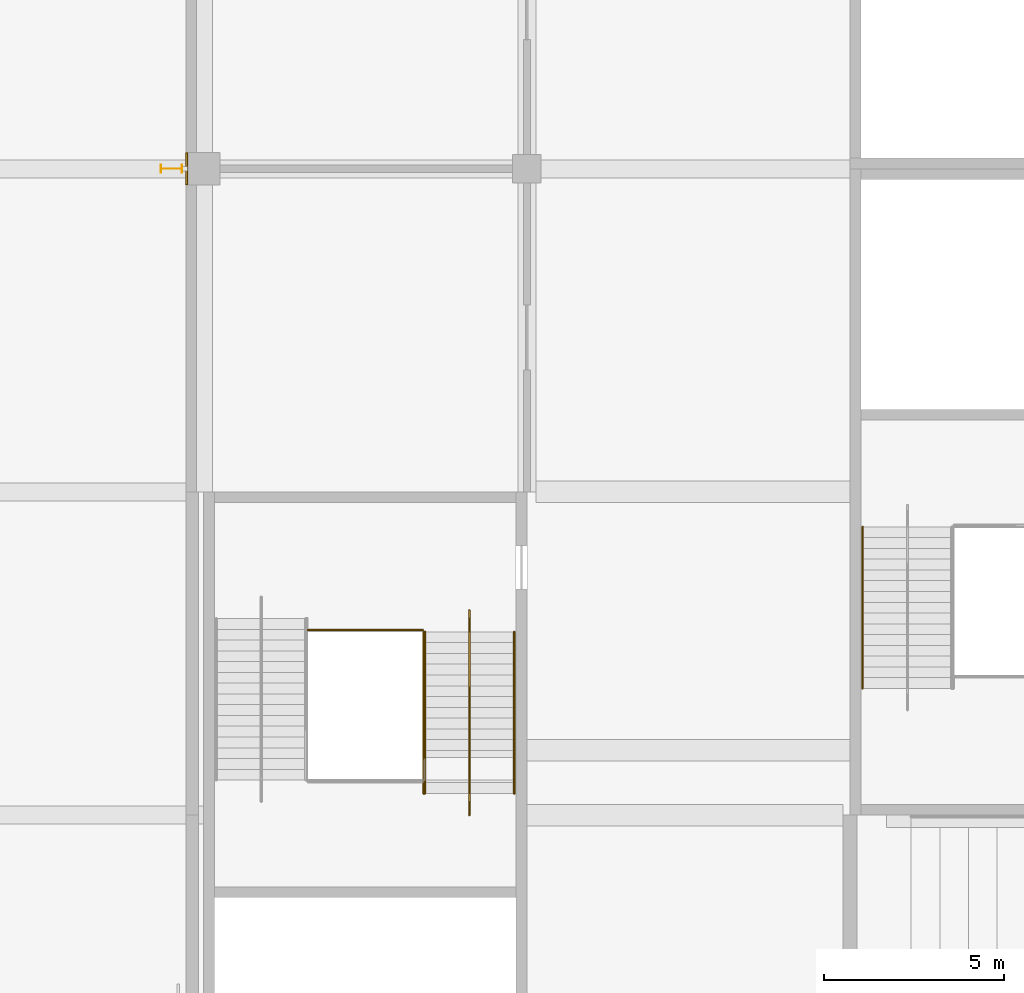
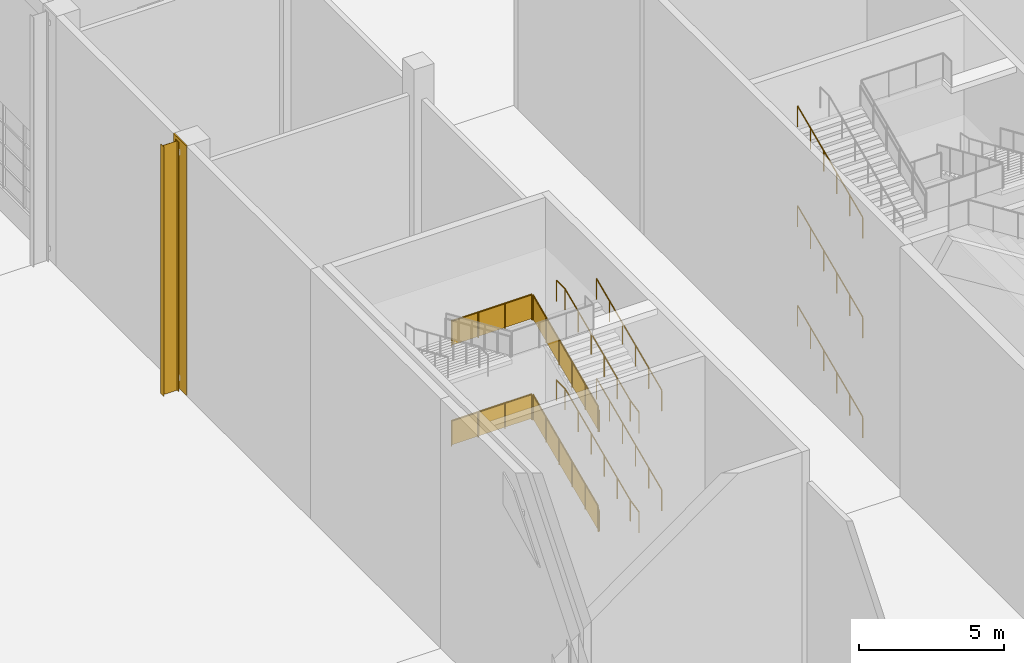
# One storey, part 150 of 182: 13 railings, 1 covering, 1 shading device.
"""IFC4 building model written with IfcOpenShell, lengths in metres."""

from ifc_helpers import new_model, si_unit, direction, frame, origin, origin_2d, place, context, subcontext, project, spatial, polyline, circle, i_section, outline, extrude, material, layer, layer_set, material_profile, profile_set, type_object, element, save


model = new_model("IFC4")

# Units and contexts
model_context = context("Model", 3, precision=1e-05, world=origin(), true_north=direction((0.0, 1.0)))
body_context = subcontext(model_context, "Body", "Model", "MODEL_VIEW")
ifc_project = project(units=[si_unit("LENGTHUNIT", "METRE"), si_unit("AREAUNIT", "SQUARE_METRE"), si_unit("VOLUMEUNIT", "CUBIC_METRE"), si_unit("PLANEANGLEUNIT", "RADIAN"), si_unit("MASSUNIT", "GRAM", prefix="KILO")], contexts=[model_context])

# Site, building, storey
site_placement = place(None, origin())
site = spatial("IfcSite", under=ifc_project, at=site_placement, CompositionType="ELEMENT")
building_placement = place(site_placement, origin())
building = spatial("IfcBuilding", under=site, at=building_placement, Name="Silverbay Arena", CompositionType="ELEMENT")
storey_placement = place(building_placement, frame((0.0, 0.0, 11.5)))
storey = spatial("IfcBuildingStorey", under=building, at=storey_placement, Name="L02", CompositionType="ELEMENT", Elevation=11.5)

# Covering
ifc_material_1 = material(Name="Aluminium composite cladding", Category="aluminium")
ifc_layer = layer(ifc_material_1, 0.050048828125)
ifc_layer_set = layer_set([ifc_layer], Name="Aluminium composite cladding")
covering_type = type_object("IfcCoveringType", Name="Column cladding 50", PredefinedType="CLADDING", material=ifc_layer_set)
covering_placement = place(storey_placement, origin())
element("IfcCovering", 1, at=covering_placement, inside=storey, type_object=covering_type, Name="West column cladding L02 11", PredefinedType="CLADDING", context=body_context, shape_type="SweptSolid", body=[
    extrude(outline(polyline([(53.5, 116.550048828125), (53.550048828125, 116.550048828125), (53.550048828125, 117.449951171875), (53.5, 117.449951171875), (53.5, 116.550048828125)])), origin(), (0.0, 0.0, 1.0), 10.5),
])

# Railings
ifc_material_2 = material(Name="Stainless steel", Category="steel")
railing_type_1 = type_object("IfcRailingType", Name="Stair guard 1100", PredefinedType="GUARDRAIL", material=ifc_material_2)
railing_1_placement = place(storey_placement, frame((60.125, 99.60009765625, 2.231201171875)))
element("IfcRailing", 2, at=railing_1_placement, inside=storey, type_object=railing_type_1, Name="Stair ST-W2 L02 to L03 flight 2 guard right", PredefinedType="GUARDRAIL", context=body_context, shape_type="SweptSolid", body=[
    extrude(circle(Radius=0.02392578125, at=origin_2d()), frame((0.0, 0.0, 1.076171875), z_axis=(0.0, 0.916157334902, 0.40081883402), x_axis=(-1.0, 0.0, 0.0)), (0.0, 0.0, 1.0), 4.911865234375),
    extrude(outline(polyline([(-0.008056640625, 0.04638671875), (0.907958984375, 0.447265625), (0.907958984375, 1.4501953125), (-0.008056640625, 1.049560546875), (-0.008056640625, 0.04638671875)])), frame((-0.0029296875, 0.0, 0.0), z_axis=(1.0, 0.0, 0.0), x_axis=(0.0, 1.0, 0.0)), (0.0, 0.0, 1.0), 0.006103515625),
    extrude(outline(polyline([(-0.008056640625, 0.440185546875), (0.907958984375, 0.841064453125), (0.907958984375, 1.843994140625), (-0.008056640625, 1.443359375), (-0.008056640625, 0.440185546875)])), frame((-0.0029296875, 0.89990234375, 0.0), z_axis=(1.0, 0.0, 0.0), x_axis=(0.0, 1.0, 0.0)), (0.0, 0.0, 1.0), 0.006103515625),
    extrude(outline(polyline([(-0.008056640625, 0.833984375), (0.907958984375, 1.23486328125), (0.907958984375, 2.23779296875), (-0.008056640625, 1.8369140625), (-0.008056640625, 0.833984375)])), frame((-0.0029296875, 1.800048828125, 0.0), z_axis=(1.0, 0.0, 0.0), x_axis=(0.0, 1.0, 0.0)), (0.0, 0.0, 1.0), 0.006103515625),
    extrude(outline(polyline([(-0.008056640625, 1.227783203125), (0.907958984375, 1.62841796875), (0.907958984375, 2.631591796875), (-0.008056640625, 2.230712890625), (-0.008056640625, 1.227783203125)])), frame((-0.0029296875, 2.699951171875, 0.0), z_axis=(1.0, 0.0, 0.0), x_axis=(0.0, 1.0, 0.0)), (0.0, 0.0, 1.0), 0.006103515625),
    extrude(outline(polyline([(-0.008056640625, 1.62158203125), (0.907958984375, 2.022216796875), (0.907958984375, 3.025146484375), (-0.008056640625, 2.62451171875), (-0.008056640625, 1.62158203125)])), frame((-0.0029296875, 3.60009765625, 0.0), z_axis=(1.0, 0.0, 0.0), x_axis=(0.0, 1.0, 0.0)), (0.0, 0.0, 1.0), 0.006103515625),
    extrude(circle(Radius=0.02099609375, at=origin_2d()), origin(), (0.0, 0.0, 1.0), 1.052001953125),
    extrude(circle(Radius=0.02099609375, at=origin_2d()), frame((0.0, 0.89990234375, 0.393798828125)), (0.0, 0.0, 1.0), 1.052001953125),
    extrude(circle(Radius=0.02099609375, at=origin_2d()), frame((0.0, 1.800048828125, 0.78759765625)), (0.0, 0.0, 1.0), 1.052001953125),
    extrude(circle(Radius=0.02099609375, at=origin_2d()), frame((0.0, 2.699951171875, 1.18115234375)), (0.0, 0.0, 1.0), 1.052001953125),
    extrude(circle(Radius=0.02099609375, at=origin_2d()), frame((0.0, 3.60009765625, 1.574951171875)), (0.0, 0.0, 1.0), 1.052001953125),
    extrude(circle(Radius=0.02099609375, at=origin_2d()), frame((0.0, 4.5, 1.96875)), (0.0, 0.0, 1.0), 1.052001953125),
])
railing_2_placement = place(storey_placement, frame((60.125, 99.60009765625, 6.43115234375)))
element("IfcRailing", 3, at=railing_2_placement, inside=storey, type_object=railing_type_1, Name="Stair ST-W2 L02 to L03 flight 4 guard right", PredefinedType="GUARDRAIL", context=body_context, shape_type="SweptSolid", body=[
    extrude(circle(Radius=0.02392578125, at=origin_2d()), frame((0.0, 0.0, 1.076171875), z_axis=(0.0, 0.916157334902, 0.40081883402), x_axis=(-1.0, 0.0, 0.0)), (0.0, 0.0, 1.0), 4.911865234375),
    extrude(outline(polyline([(-0.008056640625, 0.04638671875), (0.907958984375, 0.447265625), (0.907958984375, 1.4501953125), (-0.008056640625, 1.049560546875), (-0.008056640625, 0.04638671875)])), frame((-0.0029296875, 0.0, 0.0), z_axis=(1.0, 0.0, 0.0), x_axis=(0.0, 1.0, 0.0)), (0.0, 0.0, 1.0), 0.006103515625),
    extrude(outline(polyline([(-0.008056640625, 0.440185546875), (0.907958984375, 0.841064453125), (0.907958984375, 1.843994140625), (-0.008056640625, 1.443359375), (-0.008056640625, 0.440185546875)])), frame((-0.0029296875, 0.89990234375, 0.0), z_axis=(1.0, 0.0, 0.0), x_axis=(0.0, 1.0, 0.0)), (0.0, 0.0, 1.0), 0.006103515625),
    extrude(outline(polyline([(-0.008056640625, 0.833984375), (0.907958984375, 1.23486328125), (0.907958984375, 2.23779296875), (-0.008056640625, 1.8369140625), (-0.008056640625, 0.833984375)])), frame((-0.0029296875, 1.800048828125, 0.0), z_axis=(1.0, 0.0, 0.0), x_axis=(0.0, 1.0, 0.0)), (0.0, 0.0, 1.0), 0.006103515625),
    extrude(outline(polyline([(-0.008056640625, 1.227783203125), (0.907958984375, 1.62841796875), (0.907958984375, 2.631591796875), (-0.008056640625, 2.230712890625), (-0.008056640625, 1.227783203125)])), frame((-0.0029296875, 2.699951171875, 0.0), z_axis=(1.0, 0.0, 0.0), x_axis=(0.0, 1.0, 0.0)), (0.0, 0.0, 1.0), 0.006103515625),
    extrude(outline(polyline([(-0.008056640625, 1.62158203125), (0.907958984375, 2.022216796875), (0.907958984375, 3.025146484375), (-0.008056640625, 2.62451171875), (-0.008056640625, 1.62158203125)])), frame((-0.0029296875, 3.60009765625, 0.0), z_axis=(1.0, 0.0, 0.0), x_axis=(0.0, 1.0, 0.0)), (0.0, 0.0, 1.0), 0.006103515625),
    extrude(circle(Radius=0.02099609375, at=origin_2d()), origin(), (0.0, 0.0, 1.0), 1.052001953125),
    extrude(circle(Radius=0.02099609375, at=origin_2d()), frame((0.0, 0.89990234375, 0.393798828125)), (0.0, 0.0, 1.0), 1.052001953125),
    extrude(circle(Radius=0.02099609375, at=origin_2d()), frame((0.0, 1.800048828125, 0.78759765625)), (0.0, 0.0, 1.0), 1.052001953125),
    extrude(circle(Radius=0.02099609375, at=origin_2d()), frame((0.0, 2.699951171875, 1.18115234375)), (0.0, 0.0, 1.0), 1.052001953125),
    extrude(circle(Radius=0.02099609375, at=origin_2d()), frame((0.0, 3.60009765625, 1.574951171875)), (0.0, 0.0, 1.0), 1.052001953125),
    extrude(circle(Radius=0.02099609375, at=origin_2d()), frame((0.0, 4.5, 1.96875)), (0.0, 0.0, 1.0), 1.052001953125),
])
for number, where, name in (
    (4, (60.10009765625, 104.14990234375, 4.199951171875), "Stair ST-W2 L02 to L03 landing 2 guard"),
    (5, (60.10009765625, 104.14990234375, 8.39990234375), "Stair ST-W2 L02 to L03 landing 4 guard"),
):
    element("IfcRailing", number, at=place(storey_placement, frame(where)), inside=storey, type_object=railing_type_1, Name=name, PredefinedType="GUARDRAIL", context=body_context, shape_type="SweptSolid", body=[
        extrude(circle(Radius=0.02392578125, at=origin_2d()), frame((0.0, 0.0, 1.076171875), z_axis=(-1.0, 0.0, 0.0), x_axis=(0.0, -1.0, 0.0)), (0.0, 0.0, 1.0), 3.2001953125),
        extrude(outline(polyline([(-0.008056640625, 0.050048828125), (1.07470703125, 0.050048828125), (1.07470703125, 1.052978515625), (-0.008056640625, 1.052978515625), (-0.008056640625, 0.050048828125)])), frame((0.0, -0.0029296875, 0.0), z_axis=(0.0, 1.0, 0.0), x_axis=(-1.0, 0.0, 0.0)), (0.0, 0.0, 1.0), 0.006103515625),
        extrude(outline(polyline([(-0.008056640625, 0.050048828125), (1.07470703125, 0.050048828125), (1.07470703125, 1.052978515625), (-0.008056640625, 1.052978515625), (-0.008056640625, 0.050048828125)])), frame((-1.066650390625, -0.0029296875, 0.0), z_axis=(0.0, 1.0, 0.0), x_axis=(-1.0, 0.0, 0.0)), (0.0, 0.0, 1.0), 0.006103515625),
        extrude(outline(polyline([(-0.008056640625, 0.050048828125), (1.07470703125, 0.050048828125), (1.07470703125, 1.052978515625), (-0.008056640625, 1.052978515625), (-0.008056640625, 0.050048828125)])), frame((-2.133544921875, -0.0029296875, 0.0), z_axis=(0.0, 1.0, 0.0), x_axis=(-1.0, 0.0, 0.0)), (0.0, 0.0, 1.0), 0.006103515625),
        extrude(circle(Radius=0.02099609375, at=origin_2d()), origin(), (0.0, 0.0, 1.0), 1.052001953125),
        extrude(circle(Radius=0.02099609375, at=origin_2d()), frame((-1.066650390625, 0.0, 0.0)), (0.0, 0.0, 1.0), 1.052001953125),
        extrude(circle(Radius=0.02099609375, at=origin_2d()), frame((-2.133544921875, 0.0, 0.0)), (0.0, 0.0, 1.0), 1.052001953125),
        extrude(circle(Radius=0.02099609375, at=origin_2d()), frame((-3.2001953125, 0.0, 0.0)), (0.0, 0.0, 1.0), 1.052001953125),
    ])
ifc_material_3 = material(Name="Stainless steel", Category="steel")
railing_type_2 = type_object("IfcRailingType", Name="Stair handrail 900", PredefinedType="HANDRAIL", material=ifc_material_3)
for number, where, name in (
    (6, (62.64990234375, 99.60009765625, 2.231201171875), "Stair ST-W2 L02 to L03 flight 2 handrail left"),
    (7, (60.1640625, 99.60009765625, 2.231201171875), "Stair ST-W2 L02 to L03 flight 2 handrail right"),
):
    element("IfcRailing", number, at=place(storey_placement, frame(where)), inside=storey, type_object=railing_type_2, Name=name, PredefinedType="HANDRAIL", context=body_context, shape_type="SweptSolid", body=[
        extrude(circle(Radius=0.02392578125, at=origin_2d()), frame((0.0, 0.0, 0.8759765625), z_axis=(0.0, 0.916157334902, 0.40081883402), x_axis=(-1.0, 0.0, 0.0)), (0.0, 0.0, 1.0), 4.911865234375),
        extrude(circle(Radius=0.02099609375, at=origin_2d()), origin(), (0.0, 0.0, 1.0), 0.851806640625),
        extrude(circle(Radius=0.02099609375, at=origin_2d()), frame((0.0, 0.89990234375, 0.393798828125)), (0.0, 0.0, 1.0), 0.851806640625),
        extrude(circle(Radius=0.02099609375, at=origin_2d()), frame((0.0, 1.800048828125, 0.78759765625)), (0.0, 0.0, 1.0), 0.851806640625),
        extrude(circle(Radius=0.02099609375, at=origin_2d()), frame((0.0, 2.699951171875, 1.18115234375)), (0.0, 0.0, 1.0), 0.851806640625),
        extrude(circle(Radius=0.02099609375, at=origin_2d()), frame((0.0, 3.60009765625, 1.574951171875)), (0.0, 0.0, 1.0), 0.851806640625),
        extrude(circle(Radius=0.02099609375, at=origin_2d()), frame((0.0, 4.5, 1.96875)), (0.0, 0.0, 1.0), 0.851806640625),
    ])
railing_3_placement = place(storey_placement, frame((61.39990234375, 99.0, 2.10009765625)))
element("IfcRailing", 8, at=railing_3_placement, inside=storey, type_object=railing_type_2, Name="Stair ST-W2 L02 to L03 flight 2 central handrail", PredefinedType="HANDRAIL", context=body_context, shape_type="SweptSolid", body=[
    extrude(circle(Radius=0.02392578125, at=origin_2d()), frame((0.0, 0.0, 0.8759765625), z_axis=(0.0, 0.976957027196, 0.213436095852), x_axis=(-1.0, 0.0, 0.0)), (0.0, 0.0, 1.0), 0.6142578125),
    extrude(circle(Radius=0.02392578125, at=origin_2d()), frame((0.0, 0.60009765625, 1.0068359375), z_axis=(0.0, 0.916157334902, 0.40081883402), x_axis=(-1.0, 0.0, 0.0)), (0.0, 0.0, 1.0), 4.911865234375),
    extrude(circle(Radius=0.02392578125, at=origin_2d()), frame((0.0, 5.10009765625, 2.9755859375), z_axis=(0.0, 1.0, 0.0), x_axis=(-1.0, 0.0, 0.0)), (0.0, 0.0, 1.0), 0.599853515625),
    extrude(circle(Radius=0.02099609375, at=origin_2d()), origin(), (0.0, 0.0, 1.0), 0.851806640625),
    extrude(circle(Radius=0.02099609375, at=origin_2d()), frame((0.0, 0.60009765625, 0.131103515625)), (0.0, 0.0, 1.0), 0.851806640625),
    extrude(circle(Radius=0.02099609375, at=origin_2d()), frame((0.0, 1.5, 0.52490234375)), (0.0, 0.0, 1.0), 0.851806640625),
    extrude(circle(Radius=0.02099609375, at=origin_2d()), frame((0.0, 2.400146484375, 0.918701171875)), (0.0, 0.0, 1.0), 0.851806640625),
    extrude(circle(Radius=0.02099609375, at=origin_2d()), frame((0.0, 3.300048828125, 1.312255859375)), (0.0, 0.0, 1.0), 0.851806640625),
    extrude(circle(Radius=0.02099609375, at=origin_2d()), frame((0.0, 4.2001953125, 1.7060546875)), (0.0, 0.0, 1.0), 0.851806640625),
    extrude(circle(Radius=0.02099609375, at=origin_2d()), frame((0.0, 5.10009765625, 2.099853515625)), (0.0, 0.0, 1.0), 0.851806640625),
    extrude(circle(Radius=0.02099609375, at=origin_2d()), frame((0.0, 5.699951171875, 2.099853515625)), (0.0, 0.0, 1.0), 0.851806640625),
])
for number, where, name in (
    (9, (62.64990234375, 99.60009765625, 6.43115234375), "Stair ST-W2 L02 to L03 flight 4 handrail left"),
    (10, (60.1640625, 99.60009765625, 6.43115234375), "Stair ST-W2 L02 to L03 flight 4 handrail right"),
):
    element("IfcRailing", number, at=place(storey_placement, frame(where)), inside=storey, type_object=railing_type_2, Name=name, PredefinedType="HANDRAIL", context=body_context, shape_type="SweptSolid", body=[
        extrude(circle(Radius=0.02392578125, at=origin_2d()), frame((0.0, 0.0, 0.8759765625), z_axis=(0.0, 0.916157334902, 0.40081883402), x_axis=(-1.0, 0.0, 0.0)), (0.0, 0.0, 1.0), 4.911865234375),
        extrude(circle(Radius=0.02099609375, at=origin_2d()), origin(), (0.0, 0.0, 1.0), 0.851806640625),
        extrude(circle(Radius=0.02099609375, at=origin_2d()), frame((0.0, 0.89990234375, 0.393798828125)), (0.0, 0.0, 1.0), 0.851806640625),
        extrude(circle(Radius=0.02099609375, at=origin_2d()), frame((0.0, 1.800048828125, 0.78759765625)), (0.0, 0.0, 1.0), 0.851806640625),
        extrude(circle(Radius=0.02099609375, at=origin_2d()), frame((0.0, 2.699951171875, 1.18115234375)), (0.0, 0.0, 1.0), 0.851806640625),
        extrude(circle(Radius=0.02099609375, at=origin_2d()), frame((0.0, 3.60009765625, 1.574951171875)), (0.0, 0.0, 1.0), 0.851806640625),
        extrude(circle(Radius=0.02099609375, at=origin_2d()), frame((0.0, 4.5, 1.96875)), (0.0, 0.0, 1.0), 0.851806640625),
    ])
railing_4_placement = place(storey_placement, frame((61.39990234375, 99.0, 6.300048828125)))
element("IfcRailing", 11, at=railing_4_placement, inside=storey, type_object=railing_type_2, Name="Stair ST-W2 L02 to L03 flight 4 central handrail", PredefinedType="HANDRAIL", context=body_context, shape_type="SweptSolid", body=[
    extrude(circle(Radius=0.02392578125, at=origin_2d()), frame((0.0, 0.0, 0.8759765625), z_axis=(0.0, 0.976957027196, 0.213436095852), x_axis=(-1.0, 0.0, 0.0)), (0.0, 0.0, 1.0), 0.6142578125),
    extrude(circle(Radius=0.02392578125, at=origin_2d()), frame((0.0, 0.60009765625, 1.0068359375), z_axis=(0.0, 0.916157334902, 0.40081883402), x_axis=(-1.0, 0.0, 0.0)), (0.0, 0.0, 1.0), 4.911865234375),
    extrude(circle(Radius=0.02392578125, at=origin_2d()), frame((0.0, 5.10009765625, 2.9755859375), z_axis=(0.0, 1.0, 0.0), x_axis=(-1.0, 0.0, 0.0)), (0.0, 0.0, 1.0), 0.599853515625),
    extrude(circle(Radius=0.02099609375, at=origin_2d()), origin(), (0.0, 0.0, 1.0), 0.851806640625),
    extrude(circle(Radius=0.02099609375, at=origin_2d()), frame((0.0, 0.60009765625, 0.131103515625)), (0.0, 0.0, 1.0), 0.851806640625),
    extrude(circle(Radius=0.02099609375, at=origin_2d()), frame((0.0, 1.5, 0.52490234375)), (0.0, 0.0, 1.0), 0.851806640625),
    extrude(circle(Radius=0.02099609375, at=origin_2d()), frame((0.0, 2.400146484375, 0.918701171875)), (0.0, 0.0, 1.0), 0.851806640625),
    extrude(circle(Radius=0.02099609375, at=origin_2d()), frame((0.0, 3.300048828125, 1.312255859375)), (0.0, 0.0, 1.0), 0.851806640625),
    extrude(circle(Radius=0.02099609375, at=origin_2d()), frame((0.0, 4.2001953125, 1.7060546875)), (0.0, 0.0, 1.0), 0.851806640625),
    extrude(circle(Radius=0.02099609375, at=origin_2d()), frame((0.0, 5.10009765625, 2.099853515625)), (0.0, 0.0, 1.0), 0.851806640625),
    extrude(circle(Radius=0.02099609375, at=origin_2d()), frame((0.0, 5.699951171875, 2.099853515625)), (0.0, 0.0, 1.0), 0.851806640625),
])
for number, where, name in (
    (12, (72.35009765625, 102.52587890625, 0.13134765625), "Stair ST-NW2 L02 to L03 flight 1 handrail right"),
    (13, (72.35009765625, 102.52587890625, 4.331298828125), "Stair ST-NW2 L02 to L03 flight 3 handrail right"),
    (14, (72.35009765625, 102.52587890625, 8.53125), "Stair ST-NW2 L02 to L03 flight 5 handrail right"),
):
    element("IfcRailing", number, at=place(storey_placement, frame(where)), inside=storey, type_object=railing_type_2, Name=name, PredefinedType="HANDRAIL", context=body_context, shape_type="SweptSolid", body=[
        extrude(circle(Radius=0.02392578125, at=origin_2d()), frame((0.0, 0.0, 0.8759765625), z_axis=(0.0, 0.916157334902, 0.40081883402), x_axis=(-1.0, 0.0, 0.0)), (0.0, 0.0, 1.0), 4.911865234375),
        extrude(circle(Radius=0.02099609375, at=origin_2d()), origin(), (0.0, 0.0, 1.0), 0.851806640625),
        extrude(circle(Radius=0.02099609375, at=origin_2d()), frame((0.0, 0.89990234375, 0.393798828125)), (0.0, 0.0, 1.0), 0.851806640625),
        extrude(circle(Radius=0.02099609375, at=origin_2d()), frame((0.0, 1.800048828125, 0.78759765625)), (0.0, 0.0, 1.0), 0.851806640625),
        extrude(circle(Radius=0.02099609375, at=origin_2d()), frame((0.0, 2.699951171875, 1.18115234375)), (0.0, 0.0, 1.0), 0.851806640625),
        extrude(circle(Radius=0.02099609375, at=origin_2d()), frame((0.0, 3.60009765625, 1.574951171875)), (0.0, 0.0, 1.0), 0.851806640625),
        extrude(circle(Radius=0.02099609375, at=origin_2d()), frame((0.0, 4.5, 1.96875)), (0.0, 0.0, 1.0), 0.851806640625),
    ])

# Shading device
ifc_material_4 = material(Name="Steel S355", Category="steel")
ifc_material_profile = material_profile(ifc_material_4, i_section(OverallWidth=0.2275390625, OverallDepth=0.6025390625, WebThickness=0.010498046875, FlangeThickness=0.014892578125, at=origin_2d()), Name="UB 610x229x101")
ifc_profile_set = profile_set([ifc_material_profile], Name="Steel S355")
shading_device_type = type_object("IfcShadingDeviceType", Name="Steel fin UB 610x229x101", PredefinedType="USERDEFINED", material=ifc_profile_set)
shading_device_placement = place(storey_placement, frame((53.0986328125, 117.0, 0.0), z_axis=(0.0, 0.0, 1.0), x_axis=(0.0, 1.0, 0.0)))
element("IfcShadingDevice", 15, at=shading_device_placement, inside=storey, type_object=shading_device_type, Name="Steel fin W L02 22", ObjectType="FIN", PredefinedType="USERDEFINED", context=body_context, shape_type="SweptSolid", body=[
    extrude(i_section(OverallWidth=0.2275390625, OverallDepth=0.6025390625, WebThickness=0.010498046875, FlangeThickness=0.014892578125, at=origin_2d()), origin(), (0.0, 0.0, 1.0), 10.5),
])

save(model, "model.ifc")
